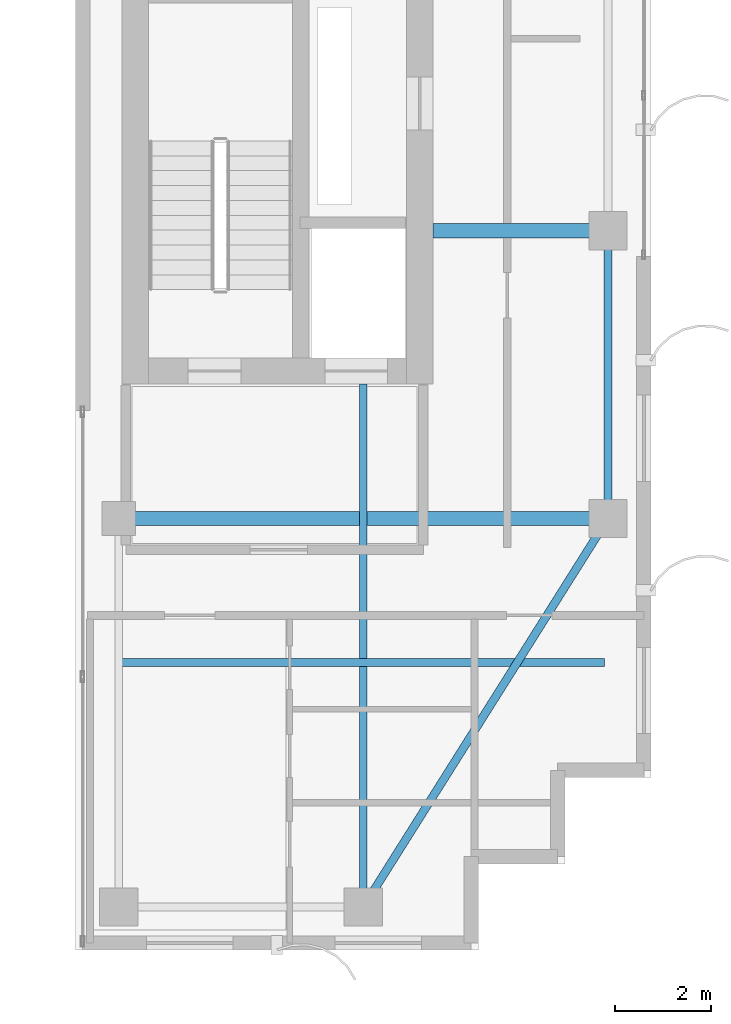
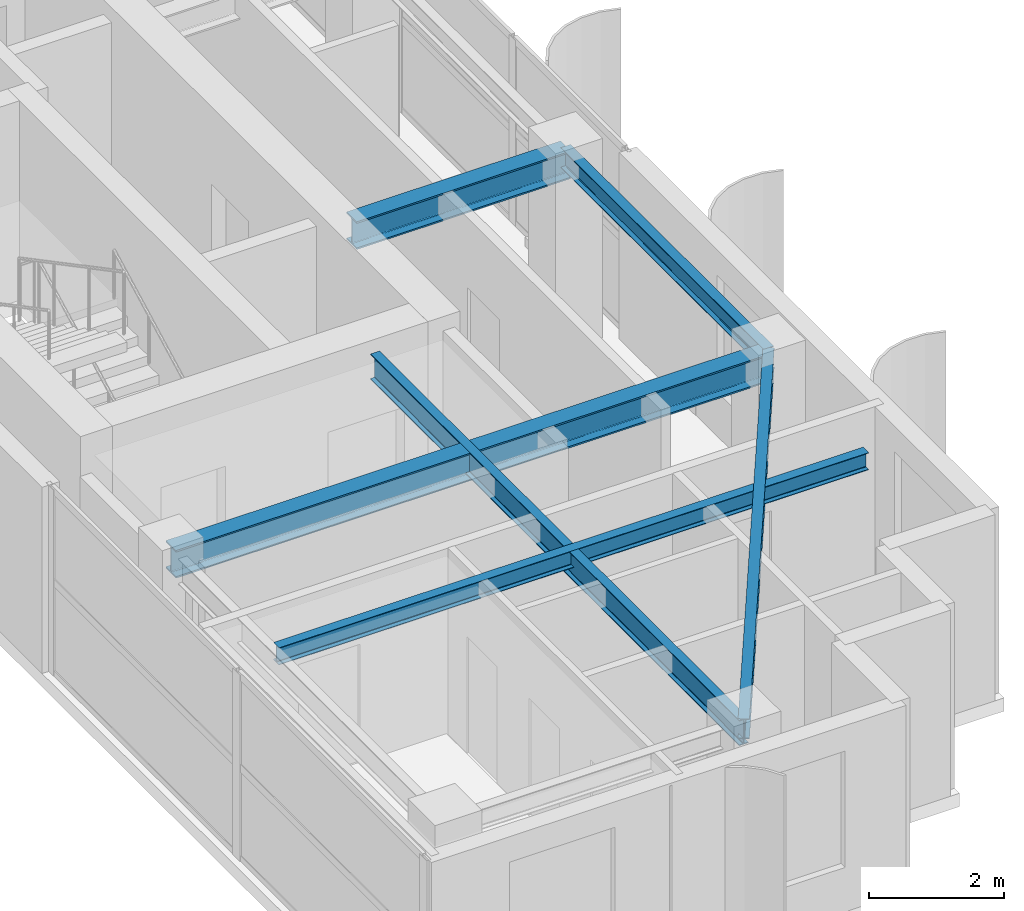
# One storey, part 11 of 24: 6 beams.
"""IFC4 building model written with IfcOpenShell, lengths in metres."""

from ifc_helpers import new_model, si_unit, direction, frame, origin, origin_2d, place, context, subcontext, project, spatial, i_section, extrude, source, transform, mapped, material, material_profile, profile_set, type_object, element, save


model = new_model("IFC4")

# Units and contexts
model_context = context("Model", 3, precision=1e-05, world=origin(), true_north=direction((0.0, 1.0)))
body_context = subcontext(model_context, "Body", "Model", "MODEL_VIEW")
ifc_project = project(units=[si_unit("LENGTHUNIT", "METRE"), si_unit("AREAUNIT", "SQUARE_METRE"), si_unit("VOLUMEUNIT", "CUBIC_METRE"), si_unit("PLANEANGLEUNIT", "RADIAN"), si_unit("MASSUNIT", "GRAM", prefix="KILO")], contexts=[model_context])

# Site, building, storey
site_placement = place(None, origin())
site = spatial("IfcSite", under=ifc_project, at=site_placement, CompositionType="ELEMENT")
building_placement = place(site_placement, origin())
building = spatial("IfcBuilding", under=site, at=building_placement, Name="Khoralis Quay Care Tower", CompositionType="ELEMENT")
storey_placement = place(building_placement, frame((0.0, 0.0, 231.300048828125)))
storey = spatial("IfcBuildingStorey", under=building, at=storey_placement, Name="L60", CompositionType="ELEMENT", Elevation=231.300048828125)

# Beams
ifc_material = material(Name="Steel S355", Category="steel")
ifc_material_profile_1 = material_profile(ifc_material, i_section(OverallWidth=0.169921875, OverallDepth=0.360107421875, WebThickness=0.008056640625, FlangeThickness=0.0126953125, FilletRadius=0.01806640625, at=origin_2d()), Name="Steel S355")
ifc_profile_set_1 = profile_set([ifc_material_profile_1], Name="Steel S355")
beam_type_1 = type_object("IfcBeamType", Name="BM-IPE360", PredefinedType="SPANDREL", material=ifc_profile_set_1)
shared_shape_1 = source(origin(), body_context, "Body", "SweptSolid", [
    extrude(i_section(OverallWidth=0.169921875, OverallDepth=0.360107421875, WebThickness=0.008056640625, FlangeThickness=0.0126953125, FilletRadius=0.01806640625, at=origin_2d()), origin(), (0.0, 0.0, 1.0), 6.0),
])
beam_1_placement = place(storey_placement, frame((41.10009765625, 12.0, 3.179931640625), z_axis=(0.0, 1.0, 0.0), x_axis=(-1.0, 0.0, 0.0)))
element("IfcBeam", 1, at=beam_1_placement, inside=storey, type_object=beam_type_1, Name="BM-TSP-L60-09", PredefinedType="SPANDREL", context=body_context, shape_type="MappedRepresentation", body=[
    mapped(shared_shape_1, transform((0.0, 0.0, 0.0), scale=1.0)),
])
shared_shape_2 = source(origin(), body_context, "Body", "SweptSolid", [
    extrude(i_section(OverallWidth=0.169921875, OverallDepth=0.360107421875, WebThickness=0.008056640625, FlangeThickness=0.0126953125, FilletRadius=0.01806640625, at=origin_2d()), origin(), (0.0, 0.0, 1.0), 9.572021484375),
])
beam_2_placement = place(storey_placement, frame((36.0, 3.89990234375, 3.179931640625), z_axis=(0.532815975602, 0.846231136359, 0.0), x_axis=(-0.846231136359, 0.532815975602, 0.0)))
element("IfcBeam", 2, at=beam_2_placement, inside=storey, type_object=beam_type_1, Name="BM-TCR-L60-14", PredefinedType="SPANDREL", context=body_context, shape_type="MappedRepresentation", body=[
    mapped(shared_shape_2, transform((0.0, 0.0, 0.0), scale=1.0)),
])
ifc_material_profile_2 = material_profile(ifc_material, i_section(OverallWidth=0.300048828125, OverallDepth=0.5, WebThickness=0.014404296875, FlangeThickness=0.028076171875, FilletRadius=0.027099609375, at=origin_2d()), Name="Steel S355")
ifc_profile_set_2 = profile_set([ifc_material_profile_2], Name="Steel S355")
beam_type_2 = type_object("IfcBeamType", Name="BM-HEB500", PredefinedType="BEAM", material=ifc_profile_set_2)
shared_shape_3 = source(origin(), body_context, "Body", "SweptSolid", [
    extrude(i_section(OverallWidth=0.300048828125, OverallDepth=0.5, WebThickness=0.014404296875, FlangeThickness=0.028076171875, FilletRadius=0.027099609375, at=origin_2d()), origin(), (0.0, 0.0, 1.0), 10.2001953125),
])
beam_3_placement = place(storey_placement, frame((30.89990234375, 12.0, 3.10986328125), z_axis=(1.0, 0.0, 0.0), x_axis=(0.0, 1.0, 0.0)))
element("IfcBeam", 3, at=beam_3_placement, inside=storey, type_object=beam_type_2, Name="BM-TGXE-L60-120", PredefinedType="BEAM", context=body_context, shape_type="MappedRepresentation", body=[
    mapped(shared_shape_3, transform((0.0, 0.0, 0.0), scale=1.0)),
])
shared_shape_4 = source(origin(), body_context, "Body", "SweptSolid", [
    extrude(i_section(OverallWidth=0.300048828125, OverallDepth=0.5, WebThickness=0.014404296875, FlangeThickness=0.028076171875, FilletRadius=0.027099609375, at=origin_2d()), origin(), (0.0, 0.0, 1.0), 3.652099609375),
])
beam_4_placement = place(storey_placement, frame((37.447998046875, 18.0, 3.10986328125), z_axis=(1.0, 0.0, 0.0), x_axis=(0.0, 1.0, 0.0)))
element("IfcBeam", 4, at=beam_4_placement, inside=storey, type_object=beam_type_2, Name="BM-TGXE-L60-180", PredefinedType="BEAM", context=body_context, shape_type="MappedRepresentation", body=[
    mapped(shared_shape_4, transform((0.0, 0.0, 0.0), scale=1.0)),
])
ifc_material_profile_3 = material_profile(ifc_material, i_section(OverallWidth=0.154052734375, OverallDepth=0.458984375, WebThickness=0.009033203125, FlangeThickness=0.015380859375, FilletRadius=0.014892578125, at=origin_2d()), Name="Steel S355")
ifc_profile_set_3 = profile_set([ifc_material_profile_3], Name="Steel S355")
beam_type_3 = type_object("IfcBeamType", Name="BM-W460X68", PredefinedType="BEAM", material=ifc_profile_set_3)
shared_shape_5 = source(origin(), body_context, "Body", "SweptSolid", [
    extrude(i_section(OverallWidth=0.154052734375, OverallDepth=0.458984375, WebThickness=0.009033203125, FlangeThickness=0.015380859375, FilletRadius=0.014892578125, at=origin_2d()), origin(), (0.0, 0.0, 1.0), 10.902099609375),
])
beam_5_placement = place(storey_placement, frame((36.0, 3.89990234375, 3.13037109375), z_axis=(0.0, 1.0, 0.0), x_axis=(-1.0, 0.0, 0.0)))
element("IfcBeam", 5, at=beam_5_placement, inside=storey, type_object=beam_type_3, Name="BM-TGYS-L60-360", PredefinedType="BEAM", context=body_context, shape_type="MappedRepresentation", body=[
    mapped(shared_shape_5, transform((0.0, 0.0, 0.0), scale=1.0)),
])
ifc_material_profile_4 = material_profile(ifc_material, i_section(OverallWidth=0.1650390625, OverallDepth=0.31005859375, WebThickness=0.005859375, FlangeThickness=0.009765625, FilletRadius=0.011962890625, at=origin_2d()), Name="Steel S355")
ifc_profile_set_4 = profile_set([ifc_material_profile_4], Name="Steel S355")
beam_type_4 = type_object("IfcBeamType", Name="BM-W310X39", PredefinedType="JOIST", material=ifc_profile_set_4)
shared_shape_6 = source(origin(), body_context, "Body", "SweptSolid", [
    extrude(i_section(OverallWidth=0.1650390625, OverallDepth=0.31005859375, WebThickness=0.005859375, FlangeThickness=0.009765625, FilletRadius=0.011962890625, at=origin_2d()), origin(), (0.0, 0.0, 1.0), 10.06396484375),
])
beam_6_placement = place(storey_placement, frame((30.965087890625, 9.0, 3.204833984375), z_axis=(1.0, 0.0, 0.0), x_axis=(0.0, 1.0, 0.0)))
element("IfcBeam", 6, at=beam_6_placement, inside=storey, type_object=beam_type_4, Name="BM-TJS-L60-18", PredefinedType="JOIST", context=body_context, shape_type="MappedRepresentation", body=[
    mapped(shared_shape_6, transform((0.0, 0.0, 0.0), scale=1.0)),
])

save(model, "model.ifc")
